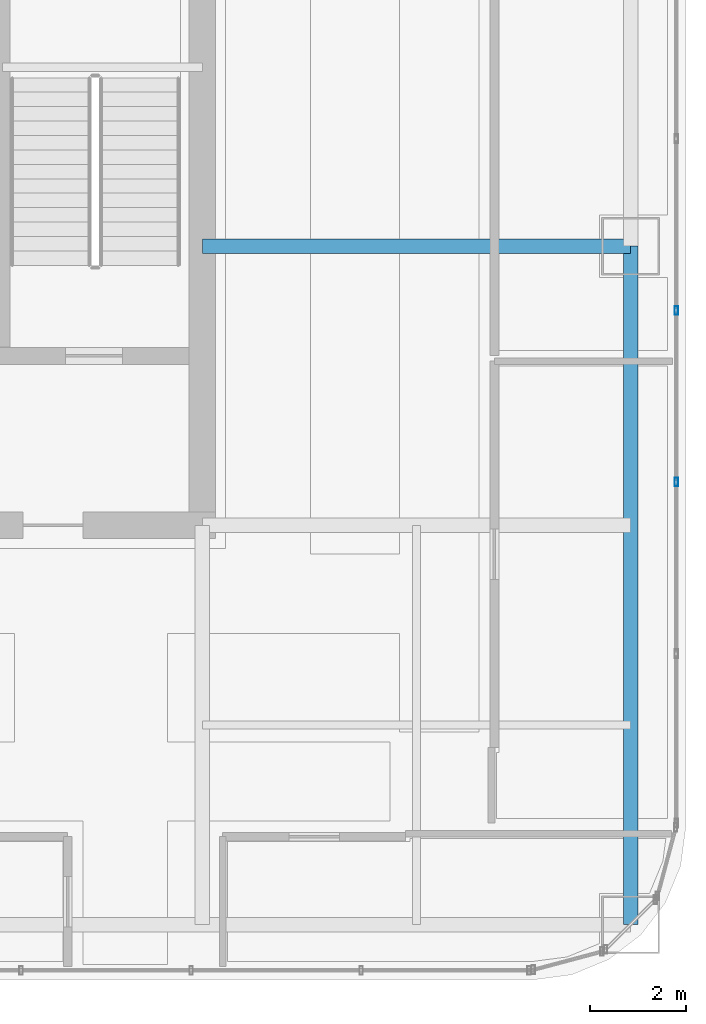
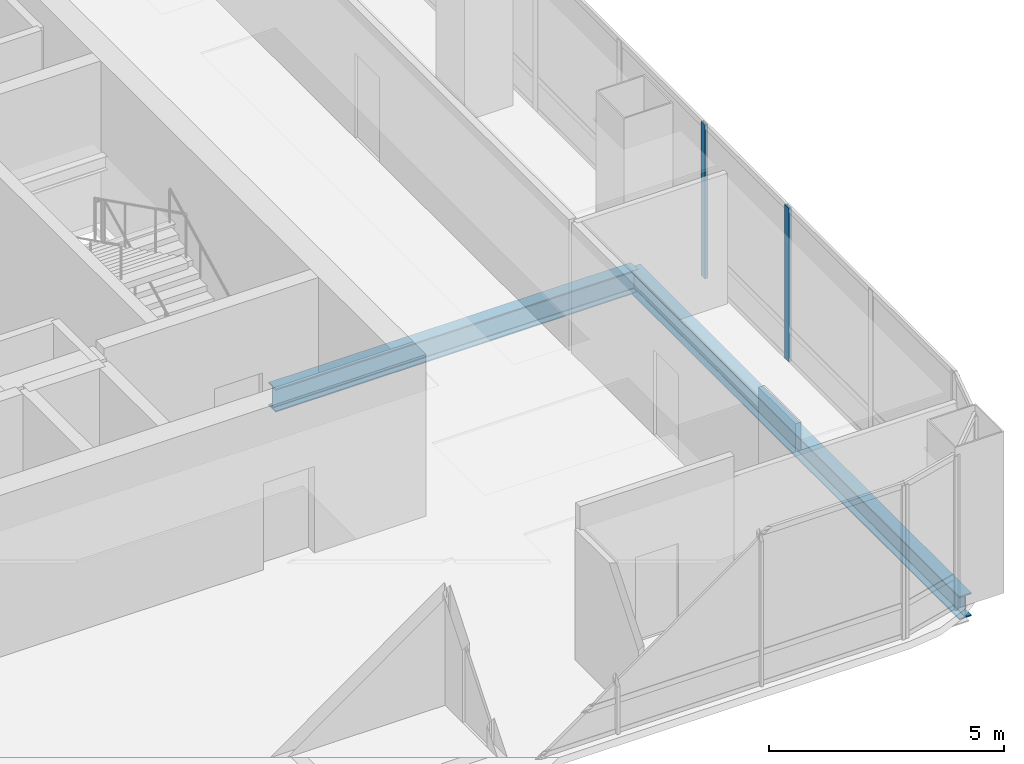
# One storey, part 17 of 41: 2 beams, 2 members, 1 element without a shape of its own.
"""IFC4 building model written with IfcOpenShell, lengths in metres."""

from ifc_helpers import new_model, si_unit, direction, frame, origin, origin_2d, place, context, subcontext, project, spatial, hollow_rectangle, i_section, extrude, material, material_profile, profile_set, type_object, element, aggregate, save


model = new_model("IFC4")

# Units and contexts
model_context = context("Model", 3, precision=1e-05, world=origin(), true_north=direction((0.0, 1.0)))
body_context = subcontext(model_context, "Body", "Model", "MODEL_VIEW")
ifc_project = project(units=[si_unit("LENGTHUNIT", "METRE"), si_unit("AREAUNIT", "SQUARE_METRE"), si_unit("VOLUMEUNIT", "CUBIC_METRE"), si_unit("PLANEANGLEUNIT", "RADIAN"), si_unit("MASSUNIT", "GRAM", prefix="KILO")], contexts=[model_context])

# Site, building, storey
site_placement = place(None, origin())
site = spatial("IfcSite", under=ifc_project, at=site_placement, CompositionType="ELEMENT")
building_placement = place(site_placement, origin())
building = spatial("IfcBuilding", under=site, at=building_placement, Name="Punatoya Terracotta Tower", CompositionType="ELEMENT")
storey_placement = place(building_placement, frame((0.0, 0.0, 309.0)))
storey = spatial("IfcBuildingStorey", under=building, at=storey_placement, Name="L73", CompositionType="ELEMENT", Elevation=309.0)

# Beams
ifc_material_1 = material(Name="Steel S355", Category="steel")
ifc_material_profile_1 = material_profile(ifc_material_1, i_section(OverallWidth=0.300048828125, OverallDepth=0.60009765625, WebThickness=0.015380859375, FlangeThickness=0.030029296875, FilletRadius=0.01806640625, at=origin_2d()))
ifc_profile_set_1 = profile_set([ifc_material_profile_1], Name="Steel S355")
beam_type = type_object("IfcBeamType", Name="BM-PRI-600", PredefinedType="BEAM", material=ifc_profile_set_1)
beam_1_placement = place(storey_placement, frame((19.10009765625, -17.5, -0.5), z_axis=(0.0, 1.0, 0.0), x_axis=(-1.0, 0.0, 0.0)))
element("IfcBeam", 1, at=beam_1_placement, inside=storey, type_object=beam_type, Name="BM-L73-RG-E1", PredefinedType="BEAM", context=body_context, shape_type="SweptSolid", body=[
    extrude(i_section(OverallWidth=0.300048828125, OverallDepth=0.60009765625, WebThickness=0.015380859375, FlangeThickness=0.030029296875, FilletRadius=0.01806640625, at=origin_2d()), origin(), (0.0, 0.0, 1.0), 14.10009765625),
])
beam_2_placement = place(storey_placement, frame((10.199951171875, -3.39990234375, -0.5), z_axis=(1.0, 0.0, 0.0), x_axis=(0.0, 1.0, 0.0)))
element("IfcBeam", 2, at=beam_2_placement, inside=storey, type_object=beam_type, Name="BM-L73-PR-ED", PredefinedType="BEAM", context=body_context, shape_type="SweptSolid", body=[
    extrude(i_section(OverallWidth=0.300048828125, OverallDepth=0.60009765625, WebThickness=0.015380859375, FlangeThickness=0.030029296875, FilletRadius=0.01806640625, at=origin_2d()), origin(), (0.0, 0.0, 1.0), 8.900146484375),
])

# Curtain wall, members
ifc_material_2 = material(Name="Aluminium 6063-T6 + Double Low-E Glass", Category="aluminium")
curtain_wall_type = type_object("IfcCurtainWallType", Name="CW-M3", PredefinedType="NOTDEFINED", material=ifc_material_2)
curtain_wall_placement = place(storey_placement, origin())
curtain_wall = element("IfcCurtainWall", 3, at=curtain_wall_placement, inside=storey, type_object=curtain_wall_type, Name="L73 Curtain Wall CW-L73-E05-1", PredefinedType="NOTDEFINED")
ifc_material_3 = material(Name="Aluminium 6063-T6", Category="aluminium")
ifc_material_profile_2 = material_profile(ifc_material_3, hollow_rectangle(XDim=0.070068359375, YDim=0.179931640625, WallThickness=0.00390625, at=origin_2d()))
ifc_profile_set_2 = profile_set([ifc_material_profile_2], Name="Aluminium 6063-T6")
member_type = type_object("IfcMemberType", Name="CW-MUL-M3", PredefinedType="MULLION", material=ifc_profile_set_2)
member_1_placement = place(storey_placement, frame((20.050048828125, -8.302001953125, 0.0), z_axis=(0.0, 0.0, 1.0), x_axis=(1.0, 0.0, 0.0)))
member_1 = element("IfcMember", 4, at=member_1_placement, type_object=member_type, Name="CW-L73-E05-1 Mullion 02", PredefinedType="MULLION", context=body_context, shape_type="SweptSolid", body=[
    extrude(hollow_rectangle(XDim=0.070068359375, YDim=0.179931640625, WallThickness=0.00390625, at=origin_2d()), origin(), (0.0, 0.0, 1.0), 4.0),
])
member_2_placement = place(storey_placement, frame((20.050048828125, -4.73486328125, 0.0), z_axis=(0.0, 0.0, 1.0), x_axis=(1.0, 0.0, 0.0)))
member_2 = element("IfcMember", 5, at=member_2_placement, type_object=member_type, Name="CW-L73-E05-1 Mullion 03", PredefinedType="MULLION", context=body_context, shape_type="SweptSolid", body=[
    extrude(hollow_rectangle(XDim=0.070068359375, YDim=0.179931640625, WallThickness=0.00390625, at=origin_2d()), origin(), (0.0, 0.0, 1.0), 4.0),
])
aggregate(curtain_wall, [member_1, member_2])

save(model, "model.ifc")
